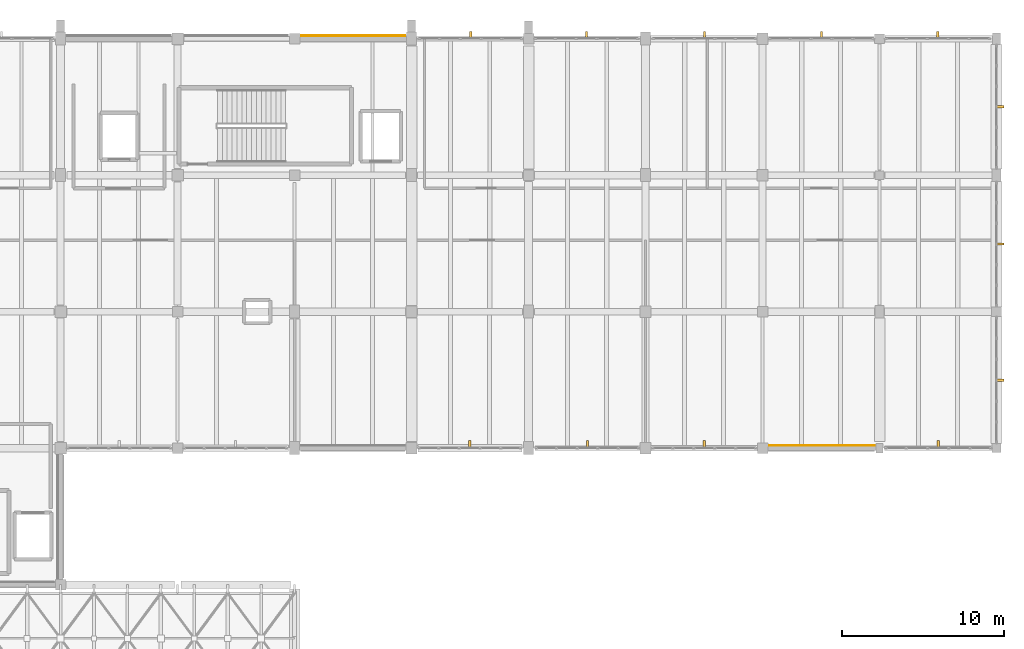
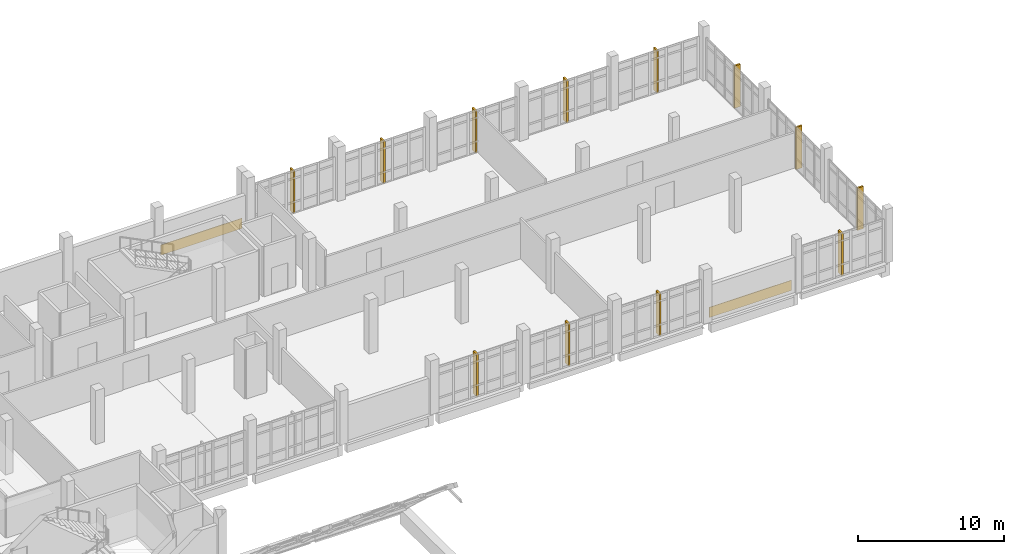
# One storey, part 87 of 87: 12 shading devices, 2 coverings.
"""IFC4 building model written with IfcOpenShell, lengths in metres."""

from ifc_helpers import new_model, si_unit, direction, frame, origin, origin_2d, place, context, subcontext, project, spatial, rectangle, extrude, material, layer, layer_set, type_object, element, save


model = new_model("IFC4")

# Units and contexts
model_context = context("Model", 3, precision=1e-05, world=origin(), true_north=direction((0.0, 1.0)))
body_context = subcontext(model_context, "Body", "Model", "MODEL_VIEW")
ifc_project = project(units=[si_unit("LENGTHUNIT", "METRE"), si_unit("AREAUNIT", "SQUARE_METRE"), si_unit("VOLUMEUNIT", "CUBIC_METRE"), si_unit("PLANEANGLEUNIT", "RADIAN"), si_unit("MASSUNIT", "GRAM", prefix="KILO")], contexts=[model_context])

# Site, building, storey
site_placement = place(None, origin())
site = spatial("IfcSite", under=ifc_project, at=site_placement, CompositionType="ELEMENT")
building_placement = place(site_placement, origin())
building = spatial("IfcBuilding", under=site, at=building_placement, Name="Kalluvel Institute of Natural Sciences", CompositionType="ELEMENT")
storey_placement = place(building_placement, frame((0.0, 0.0, 18.89990234375)))
storey = spatial("IfcBuildingStorey", under=building, at=storey_placement, Name="L04", CompositionType="ELEMENT", Elevation=18.89990234375)

# Coverings
ifc_material = material(Name="Sadarahalli Grey Granite Ashlar Concrete M40", Category="masonry")
ifc_layer = layer(ifc_material, 0.044921875)
ifc_layer_set = layer_set([ifc_layer], Name="Sadarahalli Grey Granite Ashlar Concrete M40")
covering_type = type_object("IfcCoveringType", Name="COV-CLAD-STONE", PredefinedType="CLADDING", material=ifc_layer_set)
covering_1_placement = place(storey_placement, frame((75.21240234375, 128.179931640625, 0.025146484375), z_axis=(0.0, 0.0, 1.0), x_axis=(1.0, 0.0, 0.0)))
element("IfcCovering", 1, at=covering_1_placement, inside=storey, type_object=covering_type, Name="L04 Sadarahalli granite plinth spandrel cladding 53", PredefinedType="CLADDING", context=body_context, shape_type="SweptSolid", body=[
    extrude(rectangle(XDim=6.4150390625, YDim=0.044921875, at=origin_2d()), origin(), (0.0, 0.0, 1.0), 0.85009765625),
])
covering_2_placement = place(storey_placement, frame((104.050048828125, 102.969970703125, 0.025146484375), z_axis=(0.0, 0.0, 1.0), x_axis=(1.0, 0.0, 0.0)))
element("IfcCovering", 2, at=covering_2_placement, inside=storey, type_object=covering_type, Name="L04 Sadarahalli granite plinth spandrel cladding 55", PredefinedType="CLADDING", context=body_context, shape_type="SweptSolid", body=[
    extrude(rectangle(XDim=6.489990234375, YDim=0.044921875, at=origin_2d()), origin(), (0.0, 0.0, 1.0), 0.85009765625),
])

# Shading devices
shading_device_type = type_object("IfcShadingDeviceType", Name="SHD-FIN-STONE", PredefinedType="USERDEFINED", material=ifc_material)
for number, where, z_axis, x_axis, name in (
    (3, (82.4375, 128.219970703125, 0.0), (0.0, 0.0, 1.0), (1.0, 0.0, 0.0), "L04 monsoon lancet shading fin 47"),
    (4, (89.5625, 128.219970703125, 0.0), (0.0, 0.0, 1.0), (1.0, 0.0, 0.0), "L04 monsoon lancet shading fin 48"),
    (5, (96.824951171875, 128.219970703125, 0.0), (0.0, 0.0, 1.0), (1.0, 0.0, 0.0), "L04 monsoon lancet shading fin 49"),
    (6, (104.02490234375, 128.219970703125, 0.0), (0.0, 0.0, 1.0), (1.0, 0.0, 0.0), "L04 monsoon lancet shading fin 50"),
    (7, (111.175048828125, 128.219970703125, 0.0), (0.0, 0.0, 1.0), (1.0, 0.0, 0.0), "L04 monsoon lancet shading fin 51"),
    (8, (82.375, 103.02001953125, 0.0), (0.0, 0.0, 1.0), (1.0, 0.0, 0.0), "L04 monsoon lancet shading fin 54"),
    (9, (89.625, 103.02001953125, 0.0), (0.0, 0.0, 1.0), (1.0, 0.0, 0.0), "L04 monsoon lancet shading fin 55"),
    (10, (96.8125, 103.02001953125, 0.0), (0.0, 0.0, 1.0), (1.0, 0.0, 0.0), "L04 monsoon lancet shading fin 56"),
    (11, (111.21240234375, 103.02001953125, 0.0), (0.0, 0.0, 1.0), (1.0, 0.0, 0.0), "L04 monsoon lancet shading fin 57"),
    (12, (115.02001953125, 106.987548828125, 0.0), (0.0, 0.0, 1.0), (0.0, 1.0, 0.0), "L04 monsoon lancet shading fin 58"),
    (13, (115.02001953125, 115.362548828125, 0.0), (0.0, 0.0, 1.0), (0.0, 1.0, 0.0), "L04 monsoon lancet shading fin 59"),
    (14, (115.02001953125, 123.8125, 0.0), (0.0, 0.0, 1.0), (0.0, 1.0, 0.0), "L04 monsoon lancet shading fin 60"),
):
    element("IfcShadingDevice", number, at=place(storey_placement, frame(where, z_axis=z_axis, x_axis=x_axis)), inside=storey, type_object=shading_device_type, Name=name, ObjectType="MONSOON FIN", PredefinedType="USERDEFINED", context=body_context, shape_type="SweptSolid", body=[
        extrude(rectangle(XDim=0.139892578125, YDim=0.47998046875, at=origin_2d()), origin(), (0.0, 0.0, 1.0), 3.530029296875),
    ])

save(model, "model.ifc")
